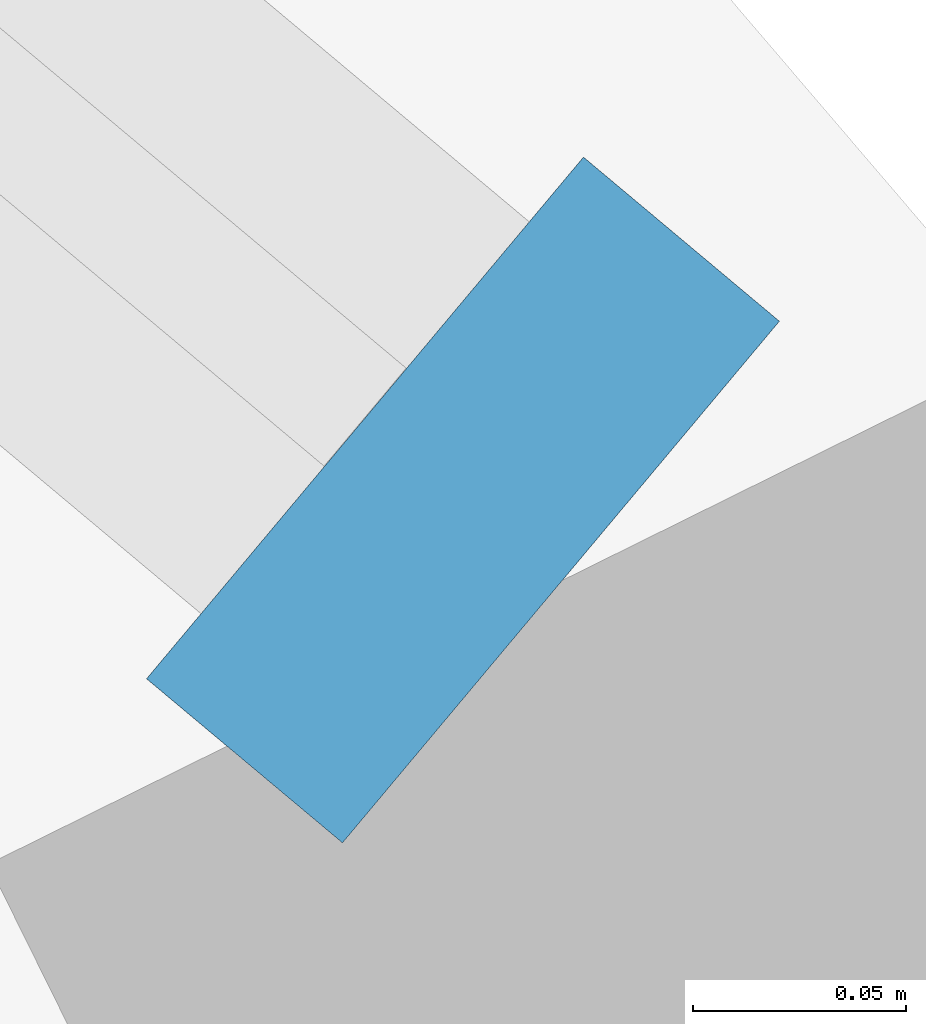
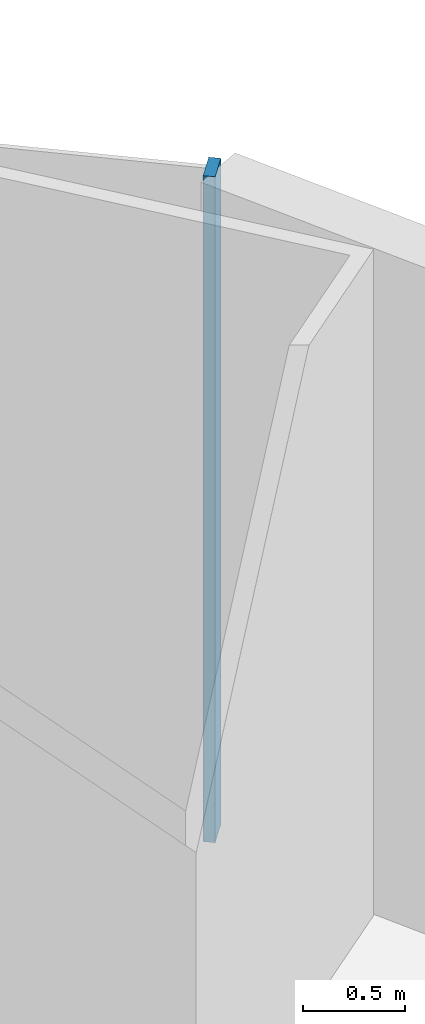
# One storey, part 12 of 23: 1 member, 1 element without a shape of its own.
"""IFC4 building model written with IfcOpenShell, lengths in metres."""

from ifc_helpers import new_model, si_unit, direction, frame, origin, origin_2d, place, context, subcontext, project, spatial, rectangle, extrude, material, material_profile, profile_set, type_object, element, aggregate, save


model = new_model("IFC4")

# Units and contexts
model_context = context("Model", 3, precision=1e-05, world=origin(), true_north=direction((0.0, 1.0)))
body_context = subcontext(model_context, "Body", "Model", "MODEL_VIEW")
ifc_project = project(units=[si_unit("LENGTHUNIT", "METRE"), si_unit("AREAUNIT", "SQUARE_METRE"), si_unit("VOLUMEUNIT", "CUBIC_METRE"), si_unit("PLANEANGLEUNIT", "RADIAN"), si_unit("MASSUNIT", "GRAM", prefix="KILO")], contexts=[model_context])

# Site, building, storey
site_placement = place(None, origin())
site = spatial("IfcSite", under=ifc_project, at=site_placement, CompositionType="ELEMENT")
building_placement = place(site_placement, origin())
building = spatial("IfcBuilding", under=site, at=building_placement, Name="Marenthal Gate Tower", CompositionType="ELEMENT")
storey_placement = place(building_placement, frame((0.0, 0.0, 66.199951171875)))
storey = spatial("IfcBuildingStorey", under=building, at=storey_placement, Name="L12", CompositionType="ELEMENT", Elevation=66.199951171875)

# Curtain wall, member
ifc_material_1 = material(Name="Aluminium and glass", Category="aluminium")
curtain_wall_type = type_object("IfcCurtainWallType", Name="Curtain wall typical low", PredefinedType="NOTDEFINED", material=ifc_material_1)
curtain_wall_placement = place(storey_placement, origin())
curtain_wall = element("IfcCurtainWall", 1, at=curtain_wall_placement, inside=storey, type_object=curtain_wall_type, Name="Curtain wall L12 bay 2", PredefinedType="NOTDEFINED")
ifc_material_2 = material(Name="Aluminium", Category="aluminium")
ifc_material_profile = material_profile(ifc_material_2, rectangle(XDim=0.159912109375, YDim=0.06005859375, at=origin_2d()), Name="60x160 aluminium mullion")
ifc_profile_set = profile_set([ifc_material_profile], Name="Aluminium")
member_type = type_object("IfcMemberType", Name="Mullion 60x160 typical low", PredefinedType="MULLION", material=ifc_profile_set)
member_placement = place(storey_placement, frame((29.90576171875, 16.76904296875, 0.0), z_axis=(0.0, 0.0, 1.0), x_axis=(-0.642111737517, -0.766611059497, 0.0)))
member = element("IfcMember", 2, at=member_placement, type_object=member_type, Name="Mullion L12 bay 2.1", PredefinedType="MULLION", context=body_context, shape_type="SweptSolid", body=[
    extrude(rectangle(XDim=0.159912109375, YDim=0.06005859375, at=origin_2d()), origin(), (0.0, 0.0, 1.0), 3.969970703125),
])
aggregate(curtain_wall, [member])

save(model, "model.ifc")
